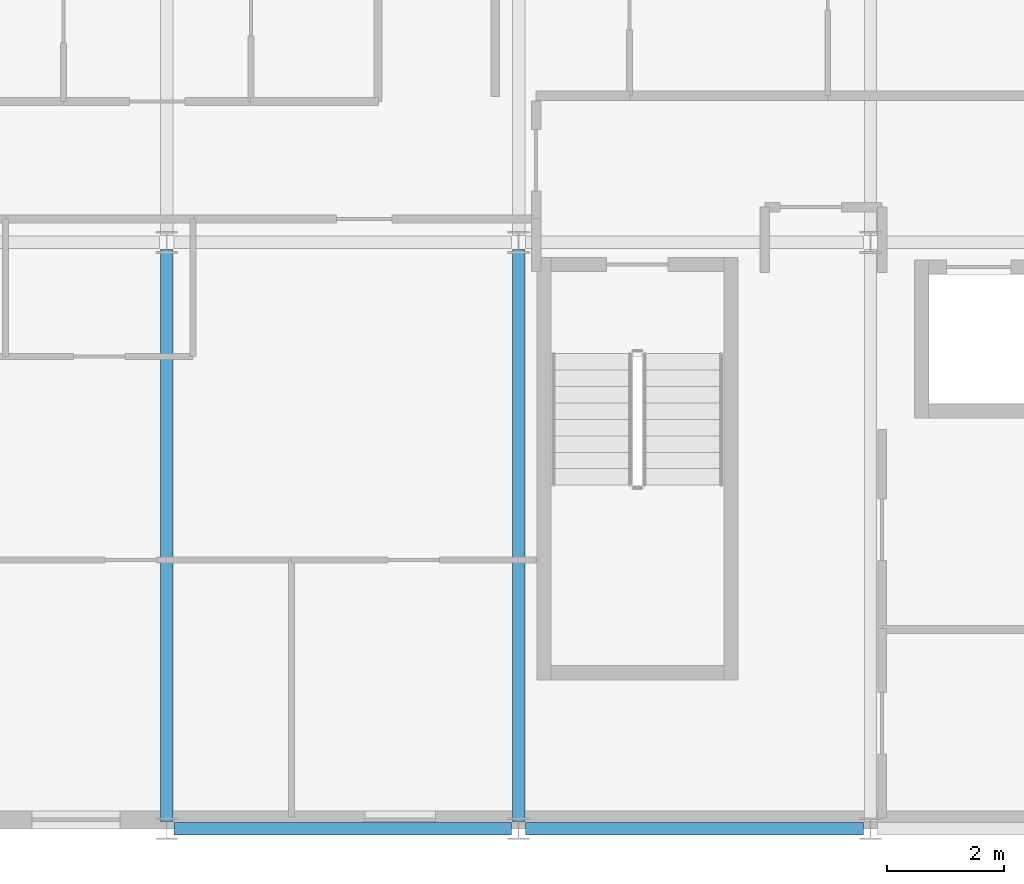
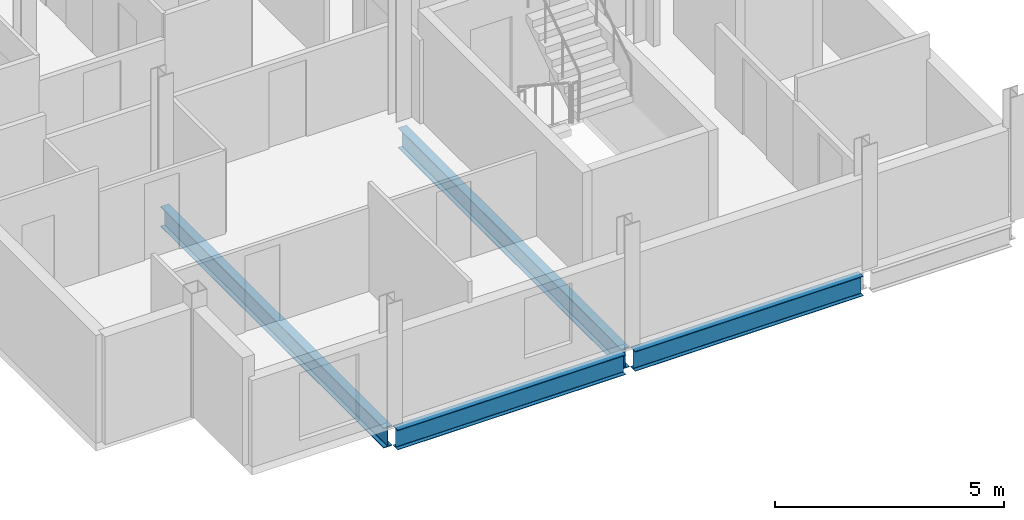
# One storey, part 3 of 30: 4 beams.
"""IFC4 building model written with IfcOpenShell, lengths in metres."""

from ifc_helpers import new_model, si_unit, direction, frame, origin, origin_2d, place, context, subcontext, project, spatial, i_section, extrude, material, material_profile, profile_set, type_object, element, save


model = new_model("IFC4")

# Units and contexts
model_context = context("Model", 3, precision=1e-05, world=origin(), true_north=direction((0.0, 1.0)))
body_context = subcontext(model_context, "Body", "Model", "MODEL_VIEW")
ifc_project = project(units=[si_unit("LENGTHUNIT", "METRE"), si_unit("AREAUNIT", "SQUARE_METRE"), si_unit("VOLUMEUNIT", "CUBIC_METRE"), si_unit("PLANEANGLEUNIT", "RADIAN"), si_unit("MASSUNIT", "GRAM", prefix="KILO")], contexts=[model_context])

# Site, building, storey
site_placement = place(None, origin())
site = spatial("IfcSite", under=ifc_project, at=site_placement, CompositionType="ELEMENT")
building_placement = place(site_placement, origin())
building = spatial("IfcBuilding", under=site, at=building_placement, Name="Brevholm Reach", CompositionType="ELEMENT")
storey_placement = place(building_placement, frame((0.0, 0.0, 211.10009765625)))
storey = spatial("IfcBuildingStorey", under=building, at=storey_placement, Name="L64", CompositionType="ELEMENT", Elevation=211.10009765625)

# Beams
ifc_material_1 = material(Name="Structural Steel S355J2", Category="steel")
ifc_material_profile_1 = material_profile(ifc_material_1, i_section(OverallWidth=0.209228515625, OverallDepth=0.533203125, WebThickness=0.010009765625, FlangeThickness=0.015625, FilletRadius=0.0126953125, at=origin_2d()), Name="UKB 533x210x92")
ifc_profile_set_1 = profile_set([ifc_material_profile_1], Name="Structural Steel S355J2")
beam_type_1 = type_object("IfcBeamType", Name="BM-SP533", PredefinedType="SPANDREL", material=ifc_profile_set_1)
for number, where, z_axis, x_axis, name in (
    (1, (6.1201171875, 0.0, -0.4765625), (1.0, 0.0, 0.0), (0.0, 1.0, 0.0), "L64 SP-02 Framing Beam"),
    (2, (12.1201171875, 0.0, -0.4765625), (1.0, 0.0, 0.0), (0.0, 1.0, 0.0), "L64 SP-02 Framing Beam"),
):
    element("IfcBeam", number, at=place(storey_placement, frame(where, z_axis=z_axis, x_axis=x_axis)), inside=storey, type_object=beam_type_1, Name=name, PredefinedType="SPANDREL", context=body_context, shape_type="SweptSolid", body=[
        extrude(i_section(OverallWidth=0.209228515625, OverallDepth=0.533203125, WebThickness=0.010009765625, FlangeThickness=0.015625, FilletRadius=0.0126953125, at=origin_2d()), origin(), (0.0, 0.0, 1.0), 5.759765625),
    ])
ifc_material_2 = material(Name="Structural Steel S355J2", Category="steel")
ifc_material_profile_2 = material_profile(ifc_material_2, i_section(OverallWidth=0.210693359375, OverallDepth=0.53955078125, WebThickness=0.01171875, FlangeThickness=0.018798828125, FilletRadius=0.0126953125, at=origin_2d()), Name="UKB 533x210x109")
ifc_profile_set_2 = profile_set([ifc_material_profile_2], Name="Structural Steel S355J2")
beam_type_2 = type_object("IfcBeamType", Name="BM-SP539", PredefinedType="SPANDREL", material=ifc_profile_set_2)
for number, where, z_axis, x_axis, name in (
    (3, (6.0, 0.1201171875, -0.479736328125), (0.0, 1.0, 0.0), (-1.0, 0.0, 0.0), "L64 SP-01B Framing Beam"),
    (4, (12.0, 0.1201171875, -0.479736328125), (0.0, 1.0, 0.0), (-1.0, 0.0, 0.0), "L64 SP-01B Framing Beam"),
):
    element("IfcBeam", number, at=place(storey_placement, frame(where, z_axis=z_axis, x_axis=x_axis)), inside=storey, type_object=beam_type_2, Name=name, PredefinedType="SPANDREL", context=body_context, shape_type="SweptSolid", body=[
        extrude(i_section(OverallWidth=0.210693359375, OverallDepth=0.53955078125, WebThickness=0.01171875, FlangeThickness=0.018798828125, FilletRadius=0.0126953125, at=origin_2d()), origin(), (0.0, 0.0, 1.0), 9.759765625),
    ])

save(model, "model.ifc")
